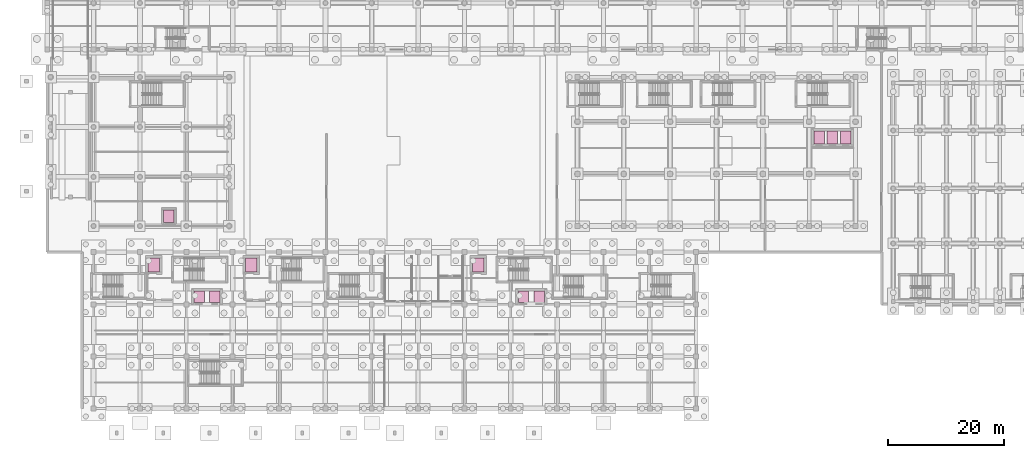
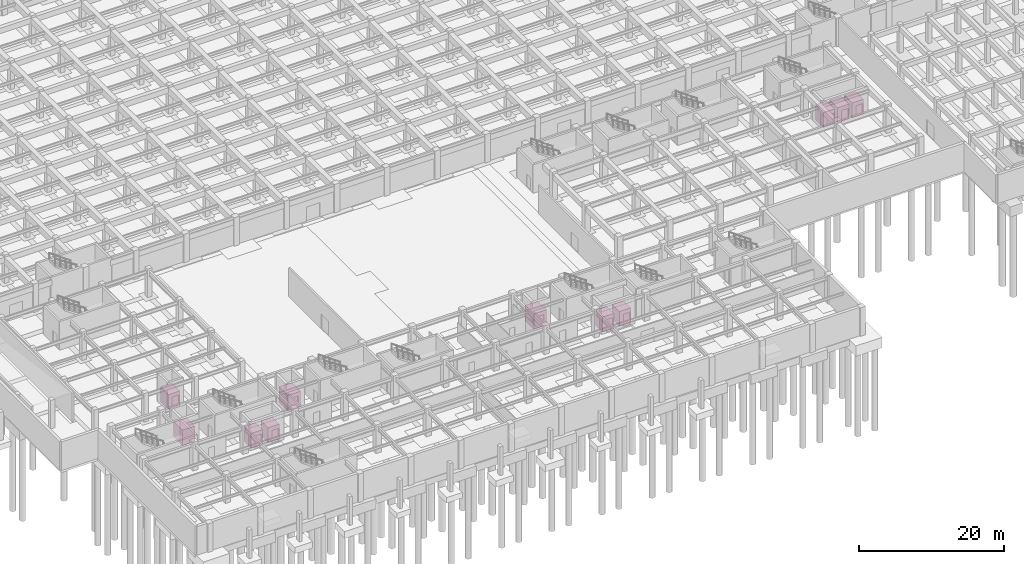
# One storey, part 48 of 48: 11 transport elements.
"""IFC4 building model written with IfcOpenShell, lengths in metres."""

from ifc_helpers import new_model, si_unit, direction, frame, origin, origin_2d, place, context, subcontext, project, spatial, rectangle, extrude, material, type_object, element, save


model = new_model("IFC4")

# Units and contexts
model_context = context("Model", 3, precision=1e-05, world=origin(), true_north=direction((0.0, 1.0)))
body_context = subcontext(model_context, "Body", "Model", "MODEL_VIEW")
ifc_project = project(units=[si_unit("LENGTHUNIT", "METRE"), si_unit("AREAUNIT", "SQUARE_METRE"), si_unit("VOLUMEUNIT", "CUBIC_METRE"), si_unit("PLANEANGLEUNIT", "RADIAN"), si_unit("MASSUNIT", "GRAM", prefix="KILO")], contexts=[model_context])

# Site, building, storey
site_placement = place(None, origin())
site = spatial("IfcSite", under=ifc_project, at=site_placement, CompositionType="ELEMENT")
building_placement = place(site_placement, origin())
building = spatial("IfcBuilding", under=site, at=building_placement, Name="Tlacozan Convention Centre", CompositionType="ELEMENT")
storey_placement = place(building_placement, frame((0.0, 0.0, -4.800048828125)))
storey = spatial("IfcBuildingStorey", under=building, at=storey_placement, Name="B01", CompositionType="ELEMENT", Elevation=-4.800048828125)

# Transport elements
ifc_material = material(Name="Stainless Steel and Oak Passenger Lift Cab", Category="steel")
transport_element_type_1 = type_object("IfcTransportElementType", Name="Firefighting Service Lift 2000x2400", PredefinedType="ELEVATOR", material=ifc_material)
for number, where, z_axis, x_axis, name in (
    (1, (18.39990234375, 24.800048828125, 0.0), (0.0, 0.0, 1.0), (1.0, 0.0, 0.0), "Firefighting Lift FL-01"),
    (2, (74.39990234375, 24.800048828125, 0.0), (0.0, 0.0, 1.0), (1.0, 0.0, 0.0), "Firefighting Lift FL-02"),
    (3, (35.199951171875, 24.800048828125, 0.0), (0.0, 0.0, 1.0), (1.0, 0.0, 0.0), "Firefighting Lift FL-03"),
):
    element("IfcTransportElement", number, at=place(storey_placement, frame(where, z_axis=z_axis, x_axis=x_axis)), inside=storey, type_object=transport_element_type_1, Name=name, PredefinedType="ELEVATOR", context=body_context, shape_type="SweptSolid", body=[
        extrude(rectangle(XDim=2.0, YDim=2.39990234375, at=origin_2d()), origin(), (0.0, 0.0, 1.0), 2.60009765625),
    ])
transport_element_type_2 = type_object("IfcTransportElementType", Name="Passenger Stretcher Lift 1800x2200", PredefinedType="ELEVATOR", material=ifc_material)
for number, where, z_axis, x_axis, name in (
    (4, (26.199951171875, 19.300048828125, 0.0), (0.0, 0.0, 1.0), (1.0, 0.0, 0.0), "Passenger Lift PL-01"),
    (5, (28.89990234375, 19.300048828125, 0.0), (0.0, 0.0, 1.0), (1.0, 0.0, 0.0), "Passenger Lift PL-02"),
    (6, (82.199951171875, 19.300048828125, 0.0), (0.0, 0.0, 1.0), (1.0, 0.0, 0.0), "Passenger Lift PL-03"),
    (7, (84.89990234375, 19.300048828125, 0.0), (0.0, 0.0, 1.0), (1.0, 0.0, 0.0), "Passenger Lift PL-04"),
):
    element("IfcTransportElement", number, at=place(storey_placement, frame(where, z_axis=z_axis, x_axis=x_axis)), inside=storey, type_object=transport_element_type_2, Name=name, PredefinedType="ELEVATOR", context=body_context, shape_type="SweptSolid", body=[
        extrude(rectangle(XDim=1.800048828125, YDim=2.0, at=origin_2d()), origin(), (0.0, 0.0, 1.0), 2.5),
    ])
for number, where, z_axis, x_axis, name in (
    (8, (133.199951171875, 46.800048828125, 0.0), (0.0, 0.0, 1.0), (1.0, 0.0, 0.0), "Passenger Lift PL-05"),
    (9, (135.5, 46.800048828125, 0.0), (0.0, 0.0, 1.0), (1.0, 0.0, 0.0), "Passenger Lift PL-06"),
    (10, (137.800048828125, 46.800048828125, 0.0), (0.0, 0.0, 1.0), (1.0, 0.0, 0.0), "Passenger Lift PL-07"),
    (11, (21.0, 33.199951171875, 0.0), (0.0, 0.0, 1.0), (1.0, 0.0, 0.0), "Passenger Lift PL-08"),
):
    element("IfcTransportElement", number, at=place(storey_placement, frame(where, z_axis=z_axis, x_axis=x_axis)), inside=storey, type_object=transport_element_type_2, Name=name, PredefinedType="ELEVATOR", context=body_context, shape_type="SweptSolid", body=[
        extrude(rectangle(XDim=1.800048828125, YDim=2.199951171875, at=origin_2d()), origin(), (0.0, 0.0, 1.0), 2.5),
    ])

save(model, "model.ifc")
